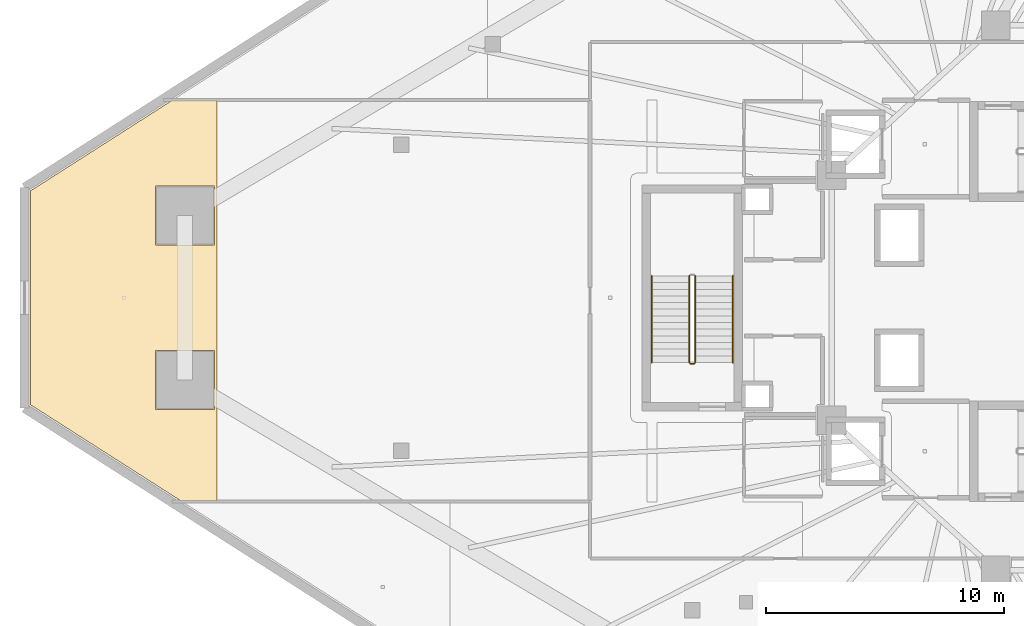
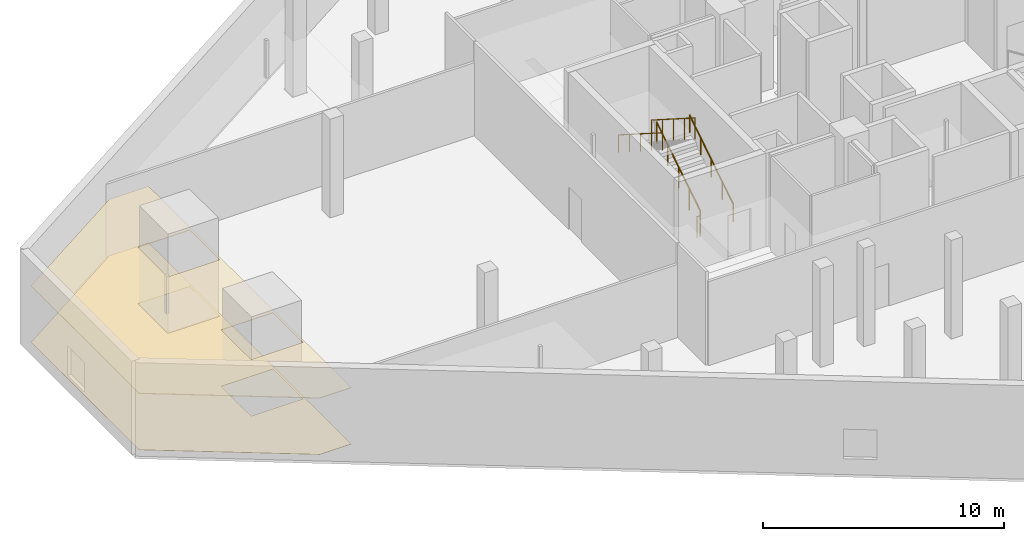
# One storey, part 41 of 47: 5 railings, 2 coverings.
"""IFC4 building model written with IfcOpenShell, lengths in metres."""

from ifc_helpers import new_model, si_unit, direction, frame, origin, origin_2d, place, context, subcontext, project, spatial, polyline, circle, outline, extrude, material, layer, layer_set, type_object, element, save


model = new_model("IFC4")

# Units and contexts
model_context = context("Model", 3, precision=1e-05, world=origin(), true_north=direction((0.0, 1.0)))
body_context = subcontext(model_context, "Body", "Model", "MODEL_VIEW")
ifc_project = project(units=[si_unit("LENGTHUNIT", "METRE"), si_unit("AREAUNIT", "SQUARE_METRE"), si_unit("VOLUMEUNIT", "CUBIC_METRE"), si_unit("PLANEANGLEUNIT", "RADIAN"), si_unit("MASSUNIT", "GRAM", prefix="KILO")], contexts=[model_context])

# Site, building, storey
site_placement = place(None, origin())
site = spatial("IfcSite", under=ifc_project, at=site_placement, CompositionType="ELEMENT")
building_placement = place(site_placement, origin())
building = spatial("IfcBuilding", under=site, at=building_placement, Name="Qorvath Tower", CompositionType="ELEMENT")
storey_placement = place(building_placement, frame((0.0, 0.0, 12.0)))
storey = spatial("IfcBuildingStorey", under=building, at=storey_placement, Name="L02", CompositionType="ELEMENT", Elevation=12.0)

# Coverings
ifc_material_1 = material(Name="Acoustic mineral fibre ceiling tile", Category="gypsum")
ifc_layer_1 = layer(ifc_material_1, 0.030029296875)
ifc_layer_set_1 = layer_set([ifc_layer_1], Name="COV-CEIL")
covering_type_1 = type_object("IfcCoveringType", Name="COV-CEIL", PredefinedType="CEILING", material=ifc_layer_set_1)
covering_1_placement = place(storey_placement, frame((0.0, 0.0, 2.85009765625)))
element("IfcCovering", 1, at=covering_1_placement, inside=storey, type_object=covering_type_1, Name="L02 Suspended Acoustic Ceiling 013", PredefinedType="CEILING", context=body_context, shape_type="SweptSolid", body=[
    extrude(outline(polyline([(-56.33056640625, -8.537109375), (-56.33056640625, 8.306884765625), (-58.203125, 8.306884765625), (-64.164306640625, 4.4970703125), (-64.164306640625, -4.4970703125), (-57.84326171875, -8.537109375), (-56.33056640625, -8.537109375)]), holes=[polyline([(-58.92236328125, -2.213623046875), (-56.4375, -2.213623046875), (-56.4375, -4.698486328125), (-58.92236328125, -4.698486328125), (-58.92236328125, -2.213623046875)]), polyline([(-58.92236328125, 4.698486328125), (-56.4375, 4.698486328125), (-56.4375, 2.213623046875), (-58.92236328125, 2.213623046875), (-58.92236328125, 4.698486328125)])]), origin(), (0.0, 0.0, 1.0), 0.030029296875),
])
ifc_material_2 = material(Name="Low-VOC modular carpet tile", Category="textile")
ifc_layer_2 = layer(ifc_material_2, 0.014892578125)
ifc_layer_set_2 = layer_set([ifc_layer_2], Name="COV-FLOOR-CPT")
covering_type_2 = type_object("IfcCoveringType", Name="COV-FLOOR-CPT", PredefinedType="FLOORING", material=ifc_layer_set_2)
covering_2_placement = place(storey_placement, origin())
element("IfcCovering", 2, at=covering_2_placement, inside=storey, type_object=covering_type_2, Name="L02 Floor Finish 013", PredefinedType="FLOORING", context=body_context, shape_type="SweptSolid", body=[
    extrude(outline(polyline([(-56.33056640625, -8.537109375), (-56.33056640625, 8.306884765625), (-58.203125, 8.306884765625), (-64.164306640625, 4.4970703125), (-64.164306640625, -4.4970703125), (-57.84326171875, -8.537109375), (-56.33056640625, -8.537109375)]), holes=[polyline([(-58.92236328125, -2.213623046875), (-56.4375, -2.213623046875), (-56.4375, -4.698486328125), (-58.92236328125, -4.698486328125), (-58.92236328125, -2.213623046875)]), polyline([(-58.92236328125, 4.698486328125), (-56.4375, 4.698486328125), (-56.4375, 2.213623046875), (-58.92236328125, 2.213623046875), (-58.92236328125, 4.698486328125)])]), origin(), (0.0, 0.0, 1.0), 0.014892578125),
])

# Railings
ifc_material_3 = material(Name="Painted galvanised steel", Category="steel")
railing_type_1 = type_object("IfcRailingType", Name="RL-STR-GRD", PredefinedType="GUARDRAIL", material=ifc_material_3)
railing_1_placement = place(storey_placement, frame((-36.22998046875, -2.719970703125, 0.178466796875)))
element("IfcRailing", 3, at=railing_1_placement, inside=storey, type_object=railing_type_1, Name="L02 TS3 stair guard 1", PredefinedType="GUARDRAIL", context=body_context, shape_type="SweptSolid", body=[
    extrude(circle(Radius=0.02392578125, at=origin_2d()), frame((0.0, 0.0, 1.076171875), z_axis=(0.0, 0.843111507901, 0.53773877045), x_axis=(-1.0, 0.0, 0.0)), (0.0, 0.0, 1.0), 4.317138671875),
    extrude(circle(Radius=0.02099609375, at=origin_2d()), origin(), (0.0, 0.0, 1.0), 1.052001953125),
    extrude(circle(Radius=0.02099609375, at=origin_2d()), frame((0.0, 0.909912109375, 0.580322265625)), (0.0, 0.0, 1.0), 1.052001953125),
    extrude(circle(Radius=0.02099609375, at=origin_2d()), frame((0.0, 1.81982421875, 1.16064453125)), (0.0, 0.0, 1.0), 1.052001953125),
    extrude(circle(Radius=0.02099609375, at=origin_2d()), frame((0.0, 2.72998046875, 1.7412109375)), (0.0, 0.0, 1.0), 1.052001953125),
    extrude(circle(Radius=0.02099609375, at=origin_2d()), frame((0.0, 3.639892578125, 2.321533203125)), (0.0, 0.0, 1.0), 1.052001953125),
])
railing_2_placement = place(storey_placement, frame((-36.47998046875, 0.919921875, 2.678466796875)))
element("IfcRailing", 4, at=railing_2_placement, inside=storey, type_object=railing_type_1, Name="L02 TS3 stair guard 3", PredefinedType="GUARDRAIL", context=body_context, shape_type="SweptSolid", body=[
    extrude(circle(Radius=0.02392578125, at=origin_2d()), frame((0.0, 0.0, 1.076171875), z_axis=(0.0, -0.843111507901, 0.53773877045), x_axis=(1.0, 0.0, 0.0)), (0.0, 0.0, 1.0), 4.317138671875),
    extrude(circle(Radius=0.02099609375, at=origin_2d()), origin(), (0.0, 0.0, 1.0), 1.052001953125),
    extrude(circle(Radius=0.02099609375, at=origin_2d()), frame((0.0, -0.909912109375, 0.580322265625)), (0.0, 0.0, 1.0), 1.052001953125),
    extrude(circle(Radius=0.02099609375, at=origin_2d()), frame((0.0, -1.81982421875, 1.16064453125)), (0.0, 0.0, 1.0), 1.052001953125),
    extrude(circle(Radius=0.02099609375, at=origin_2d()), frame((0.0, -2.72998046875, 1.7412109375)), (0.0, 0.0, 1.0), 1.052001953125),
    extrude(circle(Radius=0.02099609375, at=origin_2d()), frame((0.0, -3.639892578125, 2.321533203125)), (0.0, 0.0, 1.0), 1.052001953125),
])
railing_3_placement = place(storey_placement, frame((-36.280029296875, -2.77001953125, 0.0)))
element("IfcRailing", 5, at=railing_3_placement, inside=storey, type_object=railing_type_1, Name="L02 TS3 stair guard 4", PredefinedType="GUARDRAIL", context=body_context, shape_type="SweptSolid", body=[
    extrude(circle(Radius=0.02392578125, at=origin_2d()), frame((0.0, 0.0, 1.076171875), z_axis=(-1.0, 0.0, 0.0), x_axis=(0.0, -1.0, 0.0)), (0.0, 0.0, 1.0), 0.14990234375),
    extrude(circle(Radius=0.02099609375, at=origin_2d()), origin(), (0.0, 0.0, 1.0), 1.052001953125),
    extrude(circle(Radius=0.02099609375, at=origin_2d()), frame((-0.14990234375, 0.0, 0.0)), (0.0, 0.0, 1.0), 1.052001953125),
])
ifc_material_4 = material(Name="Brushed stainless steel AISI 304", Category="steel")
railing_type_2 = type_object("IfcRailingType", Name="RL-STR-HND", PredefinedType="HANDRAIL", material=ifc_material_4)
railing_4_placement = place(storey_placement, frame((-34.64990234375, -2.719970703125, 0.178466796875)))
element("IfcRailing", 6, at=railing_4_placement, inside=storey, type_object=railing_type_2, Name="L02 TS3 stair handrail 1", PredefinedType="HANDRAIL", context=body_context, shape_type="SweptSolid", body=[
    extrude(circle(Radius=0.02392578125, at=origin_2d()), frame((0.0, 0.0, 0.8759765625), z_axis=(0.0, 0.843111507901, 0.53773877045), x_axis=(-1.0, 0.0, 0.0)), (0.0, 0.0, 1.0), 4.317138671875),
    extrude(circle(Radius=0.02099609375, at=origin_2d()), origin(), (0.0, 0.0, 1.0), 0.851806640625),
    extrude(circle(Radius=0.02099609375, at=origin_2d()), frame((0.0, 0.909912109375, 0.580322265625)), (0.0, 0.0, 1.0), 0.851806640625),
    extrude(circle(Radius=0.02099609375, at=origin_2d()), frame((0.0, 1.81982421875, 1.16064453125)), (0.0, 0.0, 1.0), 0.851806640625),
    extrude(circle(Radius=0.02099609375, at=origin_2d()), frame((0.0, 2.72998046875, 1.7412109375)), (0.0, 0.0, 1.0), 0.851806640625),
    extrude(circle(Radius=0.02099609375, at=origin_2d()), frame((0.0, 3.639892578125, 2.321533203125)), (0.0, 0.0, 1.0), 0.851806640625),
])
railing_5_placement = place(storey_placement, frame((-38.06005859375, 0.919921875, 2.678466796875)))
element("IfcRailing", 7, at=railing_5_placement, inside=storey, type_object=railing_type_2, Name="L02 TS3 stair handrail 2", PredefinedType="HANDRAIL", context=body_context, shape_type="SweptSolid", body=[
    extrude(circle(Radius=0.02392578125, at=origin_2d()), frame((0.0, 0.0, 0.8759765625), z_axis=(0.0, -0.843111507901, 0.53773877045), x_axis=(1.0, 0.0, 0.0)), (0.0, 0.0, 1.0), 4.317138671875),
    extrude(circle(Radius=0.02099609375, at=origin_2d()), origin(), (0.0, 0.0, 1.0), 0.851806640625),
    extrude(circle(Radius=0.02099609375, at=origin_2d()), frame((0.0, -0.909912109375, 0.580322265625)), (0.0, 0.0, 1.0), 0.851806640625),
    extrude(circle(Radius=0.02099609375, at=origin_2d()), frame((0.0, -1.81982421875, 1.16064453125)), (0.0, 0.0, 1.0), 0.851806640625),
    extrude(circle(Radius=0.02099609375, at=origin_2d()), frame((0.0, -2.72998046875, 1.7412109375)), (0.0, 0.0, 1.0), 0.851806640625),
    extrude(circle(Radius=0.02099609375, at=origin_2d()), frame((0.0, -3.639892578125, 2.321533203125)), (0.0, 0.0, 1.0), 0.851806640625),
])

save(model, "model.ifc")
